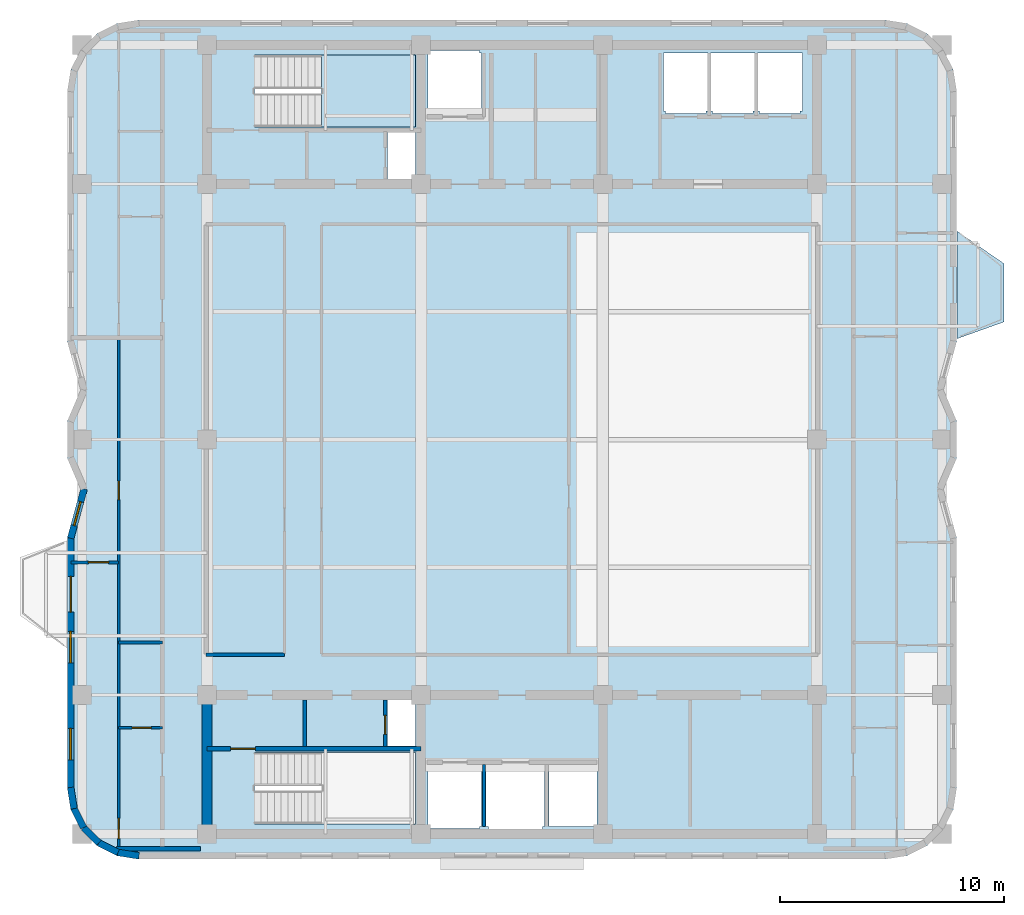
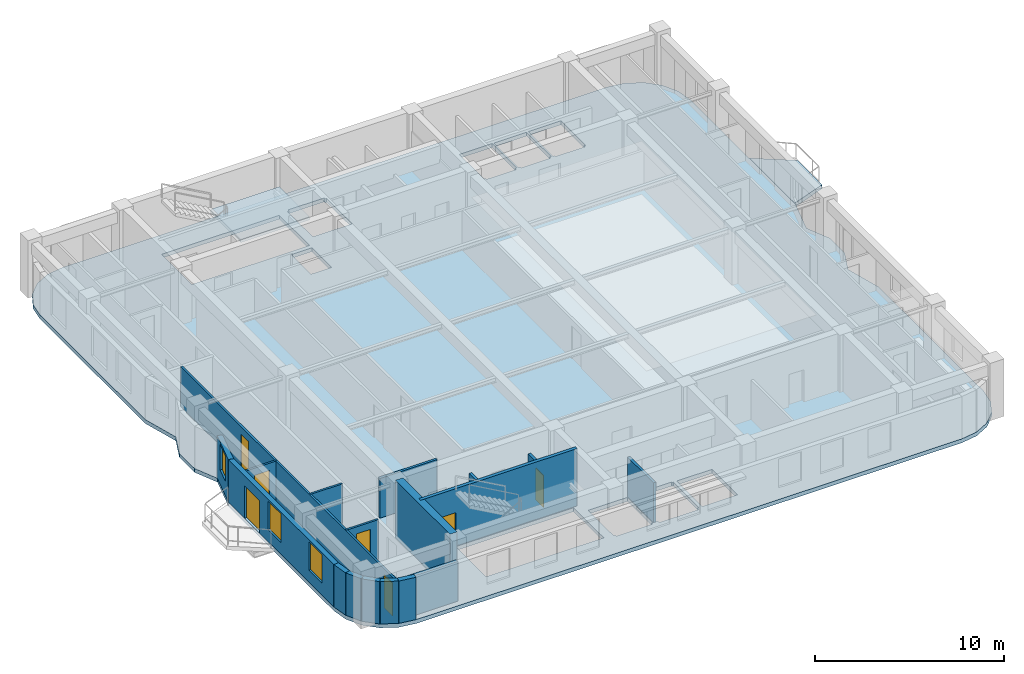
# One storey, part 2 of 8: 18 walls, 7 doors, 3 slabs, 3 windows, 10 openings, 1 element without a shape of its own.
"""IFC4 building model written with IfcOpenShell, lengths in metres."""

from ifc_helpers import new_model, si_unit, direction, frame, frame_2d, origin, place, context, subcontext, project, spatial, polyline, rectangle, outline, extrude, material, layer, layer_set, type_object, element, fill, aggregate, save


model = new_model("IFC4")

# Units and contexts
model_context = context("Model", 3, precision=1e-05, world=origin(), true_north=direction((0.0, 1.0)))
body_context = subcontext(model_context, "Body", "Model", "MODEL_VIEW")
ifc_project = project(units=[si_unit("LENGTHUNIT", "METRE"), si_unit("AREAUNIT", "SQUARE_METRE"), si_unit("VOLUMEUNIT", "CUBIC_METRE"), si_unit("PLANEANGLEUNIT", "RADIAN"), si_unit("MASSUNIT", "GRAM", prefix="KILO")], contexts=[model_context])

# Site, building, storey
site_placement = place(None, origin())
site = spatial("IfcSite", under=ifc_project, at=site_placement, CompositionType="ELEMENT")
building_placement = place(site_placement, origin())
building = spatial("IfcBuilding", under=site, at=building_placement, Name="Svetorya Sky Lyceum", CompositionType="ELEMENT")
storey_placement = place(building_placement, frame((0.0, 0.0, 248.0)))
storey = spatial("IfcBuildingStorey", under=building, at=storey_placement, Name="L62", CompositionType="ELEMENT", Elevation=248.0)

# Slab
ifc_material_1 = material(Name="Concrete C40/50", Category="concrete")
ifc_layer_1 = layer(ifc_material_1, 0.25)
ifc_layer_set_1 = layer_set([ifc_layer_1], Name="Concrete C40/50")
slab_type_1 = type_object("IfcSlabType", Name="SL-BAL-250", PredefinedType="FLOOR", material=ifc_layer_set_1)
slab_1_placement = place(storey_placement, frame((0.0, 0.0, -0.25)))
element("IfcSlab", 1, at=slab_1_placement, inside=storey, type_object=slab_type_1, Name="L62 Chamfered Loggia Balcony BAL-E1", PredefinedType="FLOOR", context=body_context, shape_type="SweptSolid", body=[
    extrude(outline(polyline([(59.050048828125, 32.699951171875), (61.14990234375, 33.449951171875), (61.14990234375, 36.050048828125), (59.050048828125, 37.5), (59.050048828125, 32.699951171875)])), origin(), (0.0, 0.0, 1.0), 0.25),
])

# Stair, slab
stair_type = type_object("IfcStairType", Name="STR-ST-N", PredefinedType="HALF_TURN_STAIR", material=ifc_material_1)
stair_placement = place(storey_placement, origin())
stair = element("IfcStair", 2, at=stair_placement, inside=storey, type_object=stair_type, Name="L62 North Core Smoke-Free Exit Stair N3", PredefinedType="HALF_TURN_STAIR")
ifc_layer_2 = layer(ifc_material_1, 0.199951171875)
ifc_layer_set_2 = layer_set([ifc_layer_2], Name="Concrete C40/50")
slab_type_2 = type_object("IfcSlabType", Name="SL-STR-LAND-200", PredefinedType="LANDING", material=ifc_layer_set_2)
slab_2_placement = place(storey_placement, frame((0.0, 0.0, 1.64990234375)))
slab_2 = element("IfcSlab", 3, at=slab_2_placement, type_object=slab_type_2, Name="ST-N landing 1", PredefinedType="LANDING", context=body_context, shape_type="SweptSolid", body=[
    extrude(outline(polyline([(30.699951171875, 42.14990234375), (34.89990234375, 42.14990234375), (34.89990234375, 45.35009765625), (30.699951171875, 45.35009765625), (30.699951171875, 42.14990234375)])), origin(), (0.0, 0.0, 1.0), 0.2001953125),
])
aggregate(stair, [slab_2])

# Slab
ifc_layer_3 = layer(ifc_material_1, 0.25)
ifc_layer_set_3 = layer_set([ifc_layer_3], Name="Concrete C40/50")
slab_type_3 = type_object("IfcSlabType", Name="SL-TWR-250", PredefinedType="FLOOR", material=ifc_layer_set_3)
slab_3_placement = place(storey_placement, frame((0.0, 0.0, -0.25)))
element("IfcSlab", 4, at=slab_3_placement, inside=storey, type_object=slab_type_3, Name="L62 Structural Floor Slab", PredefinedType="FLOOR", context=body_context, shape_type="SweptSolid", body=[
    extrude(outline(polyline([(19.360107421875, 12.679931640625), (19.5166015625, 11.691162109375), (19.97119140625, 10.799072265625), (20.67919921875, 10.091064453125), (21.571044921875, 9.63671875), (22.56005859375, 9.47998046875), (55.840087890625, 9.47998046875), (56.828857421875, 9.63671875), (57.720947265625, 10.091064453125), (58.428955078125, 10.799072265625), (58.88330078125, 11.691162109375), (59.0400390625, 12.679931640625), (59.0400390625, 23.800048828125), (58.43994140625, 26.0), (59.0400390625, 27.39990234375), (59.0400390625, 29.0), (58.43994140625, 30.39990234375), (59.0400390625, 32.60009765625), (59.0400390625, 43.719970703125), (58.88330078125, 44.708984375), (58.428955078125, 45.600830078125), (57.720947265625, 46.308837890625), (56.828857421875, 46.763427734375), (55.840087890625, 46.919921875), (22.56005859375, 46.919921875), (21.571044921875, 46.763427734375), (20.67919921875, 46.308837890625), (19.97119140625, 45.600830078125), (19.5166015625, 44.708984375), (19.360107421875, 43.719970703125), (19.360107421875, 32.60009765625), (19.9599609375, 30.39990234375), (19.360107421875, 29.0), (19.360107421875, 27.39990234375), (19.9599609375, 26.0), (19.360107421875, 23.800048828125), (19.360107421875, 12.679931640625)]), holes=[polyline([(37.85009765625, 10.949951171875), (37.75, 10.949951171875), (37.75, 10.85009765625), (35.550048828125, 10.85009765625), (35.550048828125, 10.949951171875), (35.449951171875, 10.949951171875), (35.449951171875, 13.64990234375), (35.550048828125, 13.64990234375), (37.75, 13.64990234375), (37.85009765625, 13.64990234375), (37.85009765625, 10.949951171875)]), polyline([(38.14990234375, 10.800048828125), (38.14990234375, 10.949951171875), (38.050048828125, 10.949951171875), (38.050048828125, 13.64990234375), (38.14990234375, 13.64990234375), (38.14990234375, 13.699951171875), (40.550048828125, 13.699951171875), (40.550048828125, 13.64990234375), (40.64990234375, 13.64990234375), (40.64990234375, 10.949951171875), (40.550048828125, 10.949951171875), (40.550048828125, 10.800048828125), (38.14990234375, 10.800048828125)]), polyline([(27.719970703125, 11.050048828125), (27.719970703125, 14.25), (34.89990234375, 14.25), (34.89990234375, 11.050048828125), (27.719970703125, 11.050048828125)]), polyline([(33.64990234375, 14.52001953125), (33.64990234375, 16.580078125), (34.89990234375, 16.580078125), (34.89990234375, 14.52001953125), (33.64990234375, 14.52001953125)]), polyline([(33.64990234375, 39.820068359375), (33.64990234375, 41.89990234375), (34.89990234375, 41.89990234375), (34.89990234375, 39.820068359375), (33.64990234375, 39.820068359375)]), polyline([(27.719970703125, 42.14990234375), (27.719970703125, 45.35009765625), (34.89990234375, 45.35009765625), (34.89990234375, 42.14990234375), (27.719970703125, 42.14990234375)]), polyline([(37.75, 42.75), (35.550048828125, 42.75), (35.449951171875, 42.75), (35.449951171875, 45.449951171875), (35.550048828125, 45.449951171875), (35.550048828125, 45.550048828125), (37.75, 45.550048828125), (37.75, 45.449951171875), (37.85009765625, 45.449951171875), (37.85009765625, 42.75), (37.75, 42.75)]), polyline([(40.85009765625, 10.949951171875), (40.85009765625, 13.64990234375), (43.0, 13.64990234375), (43.0, 10.949951171875), (40.85009765625, 10.949951171875)]), polyline([(46.050048828125, 42.75), (46.050048828125, 42.85009765625), (45.949951171875, 42.85009765625), (45.949951171875, 45.449951171875), (46.050048828125, 45.449951171875), (47.85009765625, 45.449951171875), (47.949951171875, 45.449951171875), (47.949951171875, 42.85009765625), (47.85009765625, 42.85009765625), (47.85009765625, 42.75), (46.050048828125, 42.75)]), polyline([(50.050048828125, 42.85009765625), (49.949951171875, 42.85009765625), (49.949951171875, 42.75), (48.14990234375, 42.75), (48.14990234375, 42.85009765625), (48.050048828125, 42.85009765625), (48.050048828125, 45.449951171875), (48.14990234375, 45.449951171875), (49.949951171875, 45.449951171875), (50.050048828125, 45.449951171875), (50.050048828125, 42.85009765625)]), polyline([(52.14990234375, 42.85009765625), (52.050048828125, 42.85009765625), (52.050048828125, 42.75), (50.25, 42.75), (50.25, 42.85009765625), (50.14990234375, 42.85009765625), (50.14990234375, 45.449951171875), (50.25, 45.449951171875), (52.050048828125, 45.449951171875), (52.14990234375, 45.449951171875), (52.14990234375, 42.85009765625)])]), origin(), (0.0, 0.0, 1.0), 0.25),
])

# Walls
ifc_material_2 = material(Name="Concrete C50/60", Category="concrete")
ifc_layer_4 = layer(ifc_material_2, 0.449951171875)
ifc_layer_set_4 = layer_set([ifc_layer_4], Name="Concrete C50/60")
wall_type_1 = type_object("IfcWallType", Name="WL-CORE-450", PredefinedType="SHEAR", material=ifc_layer_set_4)
wall_1_placement = place(storey_placement, frame((25.60009765625, 10.824951171875, 0.0), z_axis=(0.0, 0.0, 1.0), x_axis=(0.0, 1.0, 0.0)))
element("IfcWall", 5, at=wall_1_placement, inside=storey, type_object=wall_type_1, Name="L62 SC West Core Shear Wall", PredefinedType="SHEAR", context=body_context, shape_type="SweptSolid", body=[
    extrude(rectangle(XDim=5.75, YDim=0.449951171875, at=frame_2d((2.875, 0.0))), origin(), (0.0, 0.0, 1.0), 3.699951171875),
])
ifc_material_3 = material(Name="Putilovo limestone rainscreen on autoclaved cellular masonry", Category="masonry")
ifc_layer_5 = layer(ifc_material_3, 0.300048828125)
ifc_layer_set_5 = layer_set([ifc_layer_5], Name="Putilovo limestone rainscreen on autoclaved cellular masonry")
wall_type_2 = type_object("IfcWallType", Name="WL-EXT-300", PredefinedType="SOLIDWALL", material=ifc_layer_set_5)
wall_2_placement = place(storey_placement, frame((19.510009765625, 12.679931640625, 0.0), z_axis=(0.0, 0.0, 1.0), x_axis=(0.156343617883, -0.987702725088, 0.0)))
element("IfcWall", 6, at=wall_2_placement, inside=storey, type_object=wall_type_2, Name="L62 Limestone Exterior Wall 1M", PredefinedType="SOLIDWALL", context=body_context, shape_type="SweptSolid", body=[
    extrude(rectangle(XDim=0.9541015625, YDim=0.300048828125, at=frame_2d((0.47705078125, 0.0))), origin(), (0.0, 0.0, 1.0), 2.72998046875),
])
for number, where, z_axis, x_axis, name in (
    (7, (19.6591796875, 11.737548828125, 0.0), (0.0, 0.0, 1.0), (0.454056065666, -0.890973113642, 0.0), "L62 Limestone Exterior Wall 2M"),
    (8, (20.092529296875, 10.88720703125, 0.0), (0.0, 0.0, 1.0), (0.707106781187, -0.707106781187, 0.0), "L62 Limestone Exterior Wall 3M"),
):
    element("IfcWall", number, at=place(storey_placement, frame(where, z_axis=z_axis, x_axis=x_axis)), inside=storey, type_object=wall_type_2, Name=name, PredefinedType="SOLIDWALL", context=body_context, shape_type="SweptSolid", body=[
        extrude(rectangle(XDim=0.954345703125, YDim=0.300048828125, at=frame_2d((0.47705078125, 0.0))), origin(), (0.0, 0.0, 1.0), 2.72998046875),
    ])
wall_3_placement = place(storey_placement, frame((20.767333984375, 10.21240234375, 0.0), z_axis=(0.0, 0.0, 1.0), x_axis=(0.891023873617, -0.45395644796, 0.0)))
element("IfcWall", 9, at=wall_3_placement, inside=storey, type_object=wall_type_2, Name="L62 Limestone Exterior Wall 4M", PredefinedType="SOLIDWALL", context=body_context, shape_type="SweptSolid", body=[
    extrude(rectangle(XDim=0.9541015625, YDim=0.300048828125, at=frame_2d((0.47705078125, 0.0))), origin(), (0.0, 0.0, 1.0), 2.72998046875),
])
wall_4_placement = place(storey_placement, frame((21.617431640625, 9.779296875, 0.0), z_axis=(0.0, 0.0, 1.0), x_axis=(0.987669453596, -0.156553666304, 0.0)))
element("IfcWall", 10, at=wall_4_placement, inside=storey, type_object=wall_type_2, Name="L62 Limestone Exterior Wall 5M", PredefinedType="SOLIDWALL", context=body_context, shape_type="SweptSolid", body=[
    extrude(rectangle(XDim=0.954345703125, YDim=0.300048828125, at=frame_2d((0.47705078125, 0.0))), origin(), (0.0, 0.0, 1.0), 2.72998046875),
])

# Wall, opening, window
wall_5_placement = place(storey_placement, frame((20.110107421875, 26.0, 0.0), z_axis=(0.0, 0.0, 1.0), x_axis=(-0.263162701705, -0.964751466665, 0.0)))
wall_5 = element("IfcWall", 11, at=wall_5_placement, inside=storey, type_object=wall_type_2, Name="L62 Limestone Exterior Wall 35M", PredefinedType="SOLIDWALL", context=body_context, shape_type="SweptSolid", body=[
    extrude(rectangle(XDim=2.2802734375, YDim=0.300048828125, at=frame_2d((1.14013671875, 0.0))), origin(), (0.0, 0.0, 1.0), 2.72998046875),
])
opening_1_placement = place(wall_5_placement, frame((0.590087890625, 0.0, 0.919921875)))
opening_1 = element("IfcOpeningElement", 12, at=opening_1_placement, cuts=wall_5, Name="Opening W-R3", PredefinedType="OPENING", context=body_context, shape_type="SweptSolid", body=[
    extrude(rectangle(XDim=1.10009765625, YDim=1.64990234375, at=frame_2d((0.550048828125, 0.824951171875))), frame((0.0, 0.159912109375, 0.0), z_axis=(0.0, -1.0, 0.0), x_axis=(1.0, 0.0, 0.0)), (0.0, 0.0, 1.0), 0.320068359375),
])
ifc_material_4 = material(Name="Thermally broken aluminium frame with triple low-E glazing", Category="aluminium")
window_type_1 = type_object("IfcWindowType", Name="WN-RES-110", PartitioningType="SINGLE_PANEL", PredefinedType="WINDOW", material=ifc_material_4)
window_1_placement = place(opening_1_placement, origin())
window_1 = element("IfcWindow", 13, at=window_1_placement, inside=storey, type_object=window_type_1, Name="L62 Facade Window W-R3.35M.1", OverallHeight=1.64990234375, OverallWidth=1.10009765625, PartitioningType="SINGLE_PANEL", PredefinedType="WINDOW", context=body_context, shape_type="SweptSolid", body=[
    extrude(rectangle(XDim=1.10009765625, YDim=1.64990234375, at=frame_2d((0.550048828125, 0.824951171875))), frame((0.0, 0.030029296875, 0.0), z_axis=(0.0, -1.0, 0.0), x_axis=(1.0, 0.0, 0.0)), (0.0, 0.0, 1.0), 0.06005859375),
])
fill(opening_1, window_1)

# Wall, openings, door, windows
wall_6_placement = place(storey_placement, frame((19.510009765625, 23.800048828125, 0.0), z_axis=(0.0, 0.0, 1.0), x_axis=(0.0, -1.0, 0.0)))
wall_6 = element("IfcWall", 14, at=wall_6_placement, inside=storey, type_object=wall_type_2, Name="L62 Limestone Exterior Wall 36M", PredefinedType="SOLIDWALL", context=body_context, shape_type="SweptSolid", body=[
    extrude(rectangle(XDim=11.1201171875, YDim=0.300048828125, at=frame_2d((5.56005859375, 0.0))), origin(), (0.0, 0.0, 1.0), 2.72998046875),
])
opening_2_placement = place(wall_6_placement, frame((1.699951171875, 0.0, 0.0)))
opening_2 = element("IfcOpeningElement", 15, at=opening_2_placement, cuts=wall_6, Name="Opening D-BL1", PredefinedType="OPENING", context=body_context, shape_type="SweptSolid", body=[
    extrude(rectangle(XDim=1.60009765625, YDim=2.10009765625, at=frame_2d((0.800048828125, 1.050048828125))), frame((0.0, 0.159912109375, 0.0), z_axis=(0.0, -1.0, 0.0), x_axis=(1.0, 0.0, 0.0)), (0.0, 0.0, 1.0), 0.320068359375),
])
opening_3_placement = place(wall_6_placement, frame((4.159912109375, 0.0, 0.760009765625)))
opening_3 = element("IfcOpeningElement", 16, at=opening_3_placement, cuts=wall_6, Name="Opening W-R2", PredefinedType="OPENING", context=body_context, shape_type="SweptSolid", body=[
    extrude(rectangle(XDim=1.39990234375, YDim=1.85009765625, at=frame_2d((0.699951171875, 0.925048828125))), frame((0.0, 0.159912109375, 0.0), z_axis=(0.0, -1.0, 0.0), x_axis=(1.0, 0.0, 0.0)), (0.0, 0.0, 1.0), 0.320068359375),
])
opening_4_placement = place(wall_6_placement, frame((8.4833984375, 0.0, 0.760009765625)))
opening_4 = element("IfcOpeningElement", 17, at=opening_4_placement, cuts=wall_6, Name="Opening W-R2", PredefinedType="OPENING", context=body_context, shape_type="SweptSolid", body=[
    extrude(rectangle(XDim=1.39990234375, YDim=1.85009765625, at=frame_2d((0.699951171875, 0.925048828125))), frame((0.0, 0.159912109375, 0.0), z_axis=(0.0, -1.0, 0.0), x_axis=(1.0, 0.0, 0.0)), (0.0, 0.0, 1.0), 0.320068359375),
])
ifc_material_5 = material(Name="Insulated glazed aluminium balcony door", Category="aluminium")
door_type_1 = type_object("IfcDoorType", Name="DR-BAL-1600", OperationType="DOUBLE_DOOR_SINGLE_SWING", PredefinedType="DOOR", material=ifc_material_5)
door_1_placement = place(opening_2_placement, origin())
door_1 = element("IfcDoor", 18, at=door_1_placement, inside=storey, type_object=door_type_1, Name="L62 Balcony BAL-W1 Door", OperationType="DOUBLE_DOOR_SINGLE_SWING", OverallHeight=2.10009765625, OverallWidth=1.60009765625, PredefinedType="DOOR", context=body_context, shape_type="SweptSolid", body=[
    extrude(rectangle(XDim=1.60009765625, YDim=2.10009765625, at=frame_2d((0.800048828125, 1.050048828125))), frame((0.0, 0.02490234375, 0.0), z_axis=(0.0, -1.0, 0.0), x_axis=(1.0, 0.0, 0.0)), (0.0, 0.0, 1.0), 0.050048828125),
])
fill(opening_2, door_1)
window_type_2 = type_object("IfcWindowType", Name="WN-RES-140", PartitioningType="SINGLE_PANEL", PredefinedType="WINDOW", material=ifc_material_4)
window_2_placement = place(opening_3_placement, origin())
window_2 = element("IfcWindow", 19, at=window_2_placement, inside=storey, type_object=window_type_2, Name="L62 Facade Window W-R2.36M.1", OverallHeight=1.85009765625, OverallWidth=1.39990234375, PartitioningType="SINGLE_PANEL", PredefinedType="WINDOW", context=body_context, shape_type="SweptSolid", body=[
    extrude(rectangle(XDim=1.39990234375, YDim=1.85009765625, at=frame_2d((0.699951171875, 0.925048828125))), frame((0.0, 0.030029296875, 0.0), z_axis=(0.0, -1.0, 0.0), x_axis=(1.0, 0.0, 0.0)), (0.0, 0.0, 1.0), 0.06005859375),
])
fill(opening_3, window_2)
window_3_placement = place(opening_4_placement, origin())
window_3 = element("IfcWindow", 20, at=window_3_placement, inside=storey, type_object=window_type_2, Name="L62 Facade Window W-R2.36M.2", OverallHeight=1.85009765625, OverallWidth=1.39990234375, PartitioningType="SINGLE_PANEL", PredefinedType="WINDOW", context=body_context, shape_type="SweptSolid", body=[
    extrude(rectangle(XDim=1.39990234375, YDim=1.85009765625, at=frame_2d((0.699951171875, 0.925048828125))), frame((0.0, 0.030029296875, 0.0), z_axis=(0.0, -1.0, 0.0), x_axis=(1.0, 0.0, 0.0)), (0.0, 0.0, 1.0), 0.06005859375),
])
fill(opening_4, window_3)

# Wall, opening, door
ifc_material_6 = material(Name="Twin-stud galvanized framing with double fireboard", Category="gypsum")
ifc_layer_6 = layer(ifc_material_6, 0.1201171875)
ifc_layer_set_6 = layer_set([ifc_layer_6], Name="Twin-stud galvanized framing with double fireboard")
wall_type_3 = type_object("IfcWallType", Name="WL-PART-120", PredefinedType="PARTITIONING", material=ifc_layer_set_6)
wall_7_placement = place(storey_placement, frame((21.64990234375, 15.35009765625, 0.0), z_axis=(0.0, 0.0, 1.0), x_axis=(1.0, 0.0, 0.0)))
wall_7 = element("IfcWall", 21, at=wall_7_placement, inside=storey, type_object=wall_type_3, Name="L62 Interior Partition W1-WH1", PredefinedType="PARTITIONING", context=body_context, shape_type="SweptSolid", body=[
    extrude(rectangle(XDim=1.9501953125, YDim=0.1201171875, at=frame_2d((0.97509765625, 0.0))), origin(), (0.0, 0.0, 1.0), 2.56005859375),
])
opening_5_placement = place(wall_7_placement, frame((0.60009765625, 0.0, 0.0)))
opening_5 = element("IfcOpeningElement", 22, at=opening_5_placement, cuts=wall_7, Name="Opening D-BT1", PredefinedType="OPENING", context=body_context, shape_type="SweptSolid", body=[
    extrude(rectangle(XDim=0.85009765625, YDim=2.10009765625, at=frame_2d((0.425048828125, 1.050048828125))), frame((0.0, 0.070068359375, 0.0), z_axis=(0.0, -1.0, 0.0), x_axis=(1.0, 0.0, 0.0)), (0.0, 0.0, 1.0), 0.14013671875),
])
ifc_material_7 = material(Name="Moisture-resistant laminate bathroom door")
door_type_2 = type_object("IfcDoorType", Name="DR-WET-850", OperationType="SINGLE_SWING_LEFT", PredefinedType="DOOR", material=ifc_material_7)
door_2_placement = place(opening_5_placement, origin())
door_2 = element("IfcDoor", 23, at=door_2_placement, inside=storey, type_object=door_type_2, Name="Apartment W1 Bathroom Door", OperationType="SINGLE_SWING_LEFT", OverallHeight=2.10009765625, OverallWidth=0.85009765625, PredefinedType="DOOR", context=body_context, shape_type="SweptSolid", body=[
    extrude(rectangle(XDim=0.85009765625, YDim=2.10009765625, at=frame_2d((0.425048828125, 1.050048828125))), frame((0.0, 0.02490234375, 0.0), z_axis=(0.0, -1.0, 0.0), x_axis=(1.0, 0.0, 0.0)), (0.0, 0.0, 1.0), 0.050048828125),
])
fill(opening_5, door_2)

# Wall
wall_8_placement = place(storey_placement, frame((21.64990234375, 19.14990234375, 0.0), z_axis=(0.0, 0.0, 1.0), x_axis=(1.0, 0.0, 0.0)))
element("IfcWall", 24, at=wall_8_placement, inside=storey, type_object=wall_type_3, Name="L62 Interior Partition W1-WH2", PredefinedType="PARTITIONING", context=body_context, shape_type="SweptSolid", body=[
    extrude(rectangle(XDim=1.9501953125, YDim=0.1201171875, at=frame_2d((0.97509765625, 0.0))), origin(), (0.0, 0.0, 1.0), 2.56005859375),
])

# Wall, opening, door
wall_9_placement = place(storey_placement, frame((19.530029296875, 22.719970703125, 0.0), z_axis=(0.0, 0.0, 1.0), x_axis=(1.0, 0.0, 0.0)))
wall_9 = element("IfcWall", 25, at=wall_9_placement, inside=storey, type_object=wall_type_3, Name="L62 Interior Partition W1-WL1", PredefinedType="PARTITIONING", context=body_context, shape_type="SweptSolid", body=[
    extrude(rectangle(XDim=2.119873046875, YDim=0.1201171875, at=frame_2d((1.06005859375, 0.0))), origin(), (0.0, 0.0, 1.0), 2.56005859375),
])
opening_6_placement = place(wall_9_placement, frame((0.77001953125, 0.0, 0.0)))
opening_6 = element("IfcOpeningElement", 26, at=opening_6_placement, cuts=wall_9, Name="Opening D-RM1", PredefinedType="OPENING", context=body_context, shape_type="SweptSolid", body=[
    extrude(rectangle(XDim=0.89990234375, YDim=2.10009765625, at=frame_2d((0.449951171875, 1.050048828125))), frame((0.0, 0.070068359375, 0.0), z_axis=(0.0, -1.0, 0.0), x_axis=(1.0, 0.0, 0.0)), (0.0, 0.0, 1.0), 0.14013671875),
])
ifc_material_8 = material(Name="Lacquered birch veneer internal door")
door_type_3 = type_object("IfcDoorType", Name="DR-INT-900", OperationType="SINGLE_SWING_LEFT", PredefinedType="DOOR", material=ifc_material_8)
door_3_placement = place(opening_6_placement, origin())
door_3 = element("IfcDoor", 27, at=door_3_placement, inside=storey, type_object=door_type_3, Name="Apartment W1 Bedroom 1 Door", OperationType="SINGLE_SWING_LEFT", OverallHeight=2.10009765625, OverallWidth=0.89990234375, PredefinedType="DOOR", context=body_context, shape_type="SweptSolid", body=[
    extrude(rectangle(XDim=0.89990234375, YDim=2.10009765625, at=frame_2d((0.449951171875, 1.050048828125))), frame((0.0, 0.02490234375, 0.0), z_axis=(0.0, -1.0, 0.0), x_axis=(1.0, 0.0, 0.0)), (0.0, 0.0, 1.0), 0.050048828125),
])
fill(opening_6, door_3)

# Wall, openings, doors
wall_10_placement = place(storey_placement, frame((21.64990234375, 9.989990234375, 0.0), z_axis=(0.0, 0.0, 1.0), x_axis=(0.0, 1.0, 0.0)))
wall_10 = element("IfcWall", 28, at=wall_10_placement, inside=storey, type_object=wall_type_3, Name="L62 Interior Partition W1-WV", PredefinedType="PARTITIONING", context=body_context, shape_type="SweptSolid", body=[
    extrude(rectangle(XDim=22.719970703125, YDim=0.1201171875, at=frame_2d((11.35986328125, 0.0))), origin(), (0.0, 0.0, 1.0), 2.56005859375),
])
opening_7_placement = place(wall_10_placement, frame((0.409912109375, 0.0, 0.0)))
opening_7 = element("IfcOpeningElement", 29, at=opening_7_placement, cuts=wall_10, Name="Opening D-RM1", PredefinedType="OPENING", context=body_context, shape_type="SweptSolid", body=[
    extrude(rectangle(XDim=0.89990234375, YDim=2.10009765625, at=frame_2d((0.449951171875, 1.050048828125))), frame((0.0, 0.070068359375, 0.0), z_axis=(0.0, -1.0, 0.0), x_axis=(1.0, 0.0, 0.0)), (0.0, 0.0, 1.0), 0.14013671875),
])
opening_8_placement = place(wall_10_placement, frame((15.534912109375, 0.0, 0.0)))
opening_8 = element("IfcOpeningElement", 30, at=opening_8_placement, cuts=wall_10, Name="Opening D-BT2", PredefinedType="OPENING", context=body_context, shape_type="SweptSolid", body=[
    extrude(rectangle(XDim=0.820068359375, YDim=2.080078125, at=frame_2d((0.41015625, 1.0400390625))), frame((0.0, 0.070068359375, 0.0), z_axis=(0.0, -1.0, 0.0), x_axis=(1.0, 0.0, 0.0)), (0.0, 0.0, 1.0), 0.14013671875),
])
door_4_placement = place(opening_7_placement, origin())
door_4 = element("IfcDoor", 31, at=door_4_placement, inside=storey, type_object=door_type_3, Name="Apartment W1 Living Door", OperationType="SINGLE_SWING_RIGHT", OverallHeight=2.10009765625, OverallWidth=0.89990234375, PredefinedType="DOOR", context=body_context, shape_type="SweptSolid", body=[
    extrude(rectangle(XDim=0.89990234375, YDim=2.10009765625, at=frame_2d((0.449951171875, 1.050048828125))), frame((0.0, 0.02490234375, 0.0), z_axis=(0.0, -1.0, 0.0), x_axis=(1.0, 0.0, 0.0)), (0.0, 0.0, 1.0), 0.050048828125),
])
fill(opening_7, door_4)
ifc_material_9 = material(Name="Compact moisture-resistant laminate closet door")
door_type_4 = type_object("IfcDoorType", Name="DR-WET-820", OperationType="SINGLE_SWING_LEFT", PredefinedType="DOOR", material=ifc_material_9)
door_5_placement = place(opening_8_placement, origin())
door_5 = element("IfcDoor", 32, at=door_5_placement, inside=storey, type_object=door_type_4, Name="Apartment W1 Study Door", OperationType="SINGLE_SWING_LEFT", OverallHeight=2.080078125, OverallWidth=0.820068359375, PredefinedType="DOOR", context=body_context, shape_type="SweptSolid", body=[
    extrude(rectangle(XDim=0.820068359375, YDim=2.080078125, at=frame_2d((0.41015625, 1.0400390625))), frame((0.0, 0.02490234375, 0.0), z_axis=(0.0, -1.0, 0.0), x_axis=(1.0, 0.0, 0.0)), (0.0, 0.0, 1.0), 0.050048828125),
])
fill(opening_8, door_5)

# Wall
ifc_material_10 = material(Name="Autoclaved cellular masonry blockwork with acoustic render", Category="masonry")
ifc_layer_7 = layer(ifc_material_10, 0.14990234375)
ifc_layer_set_7 = layer_set([ifc_layer_7], Name="Autoclaved cellular masonry blockwork with acoustic render")
wall_type_4 = type_object("IfcWallType", Name="WL-PART-150", PredefinedType="PARTITIONING", material=ifc_layer_set_7)
wall_11_placement = place(storey_placement, frame((29.949951171875, 14.5, 0.0), z_axis=(0.0, 0.0, 1.0), x_axis=(0.0, 1.0, 0.0)))
element("IfcWall", 33, at=wall_11_placement, inside=storey, type_object=wall_type_4, Name="L62 Interior Partition SC-SWD1", PredefinedType="PARTITIONING", context=body_context, shape_type="SweptSolid", body=[
    extrude(rectangle(XDim=2.080078125, YDim=0.14990234375, at=frame_2d((1.0400390625, 0.0))), origin(), (0.0, 0.0, 1.0), 2.56005859375),
])

# Wall, opening, door
wall_12_placement = place(storey_placement, frame((33.550048828125, 14.5, 0.0), z_axis=(0.0, 0.0, 1.0), x_axis=(0.0, 1.0, 0.0)))
wall_12 = element("IfcWall", 34, at=wall_12_placement, inside=storey, type_object=wall_type_4, Name="L62 Interior Partition SC-SWD2", PredefinedType="PARTITIONING", context=body_context, shape_type="SweptSolid", body=[
    extrude(rectangle(XDim=2.080078125, YDim=0.14990234375, at=frame_2d((1.0400390625, 0.0))), origin(), (0.0, 0.0, 1.0), 2.56005859375),
])
opening_9_placement = place(wall_12_placement, frame((0.550048828125, 0.0, 0.0)))
opening_9 = element("IfcOpeningElement", 35, at=opening_9_placement, cuts=wall_12, Name="Opening D-SH1", PredefinedType="OPENING", context=body_context, shape_type="SweptSolid", body=[
    extrude(rectangle(XDim=0.85009765625, YDim=2.050048828125, at=frame_2d((0.425048828125, 1.02490234375))), frame((0.0, 0.0849609375, 0.0), z_axis=(0.0, -1.0, 0.0), x_axis=(1.0, 0.0, 0.0)), (0.0, 0.0, 1.0), 0.169921875),
])
ifc_material_11 = material(Name="Insulated galvanized riser inspection fire door")
door_type_5 = type_object("IfcDoorType", Name="DR-SHFT-850", OperationType="SINGLE_SWING_LEFT", PredefinedType="TRAPDOOR", material=ifc_material_11)
door_6_placement = place(opening_9_placement, origin())
door_6 = element("IfcDoor", 36, at=door_6_placement, inside=storey, type_object=door_type_5, Name="L62 South Riser Access Door", OperationType="SINGLE_SWING_RIGHT", OverallHeight=2.050048828125, OverallWidth=0.85009765625, PredefinedType="TRAPDOOR", context=body_context, shape_type="SweptSolid", body=[
    extrude(rectangle(XDim=0.85009765625, YDim=2.050048828125, at=frame_2d((0.425048828125, 1.02490234375))), frame((0.0, 0.02490234375, 0.0), z_axis=(0.0, -1.0, 0.0), x_axis=(1.0, 0.0, 0.0)), (0.0, 0.0, 1.0), 0.050048828125),
])
fill(opening_9, door_6)

# Walls
wall_13_placement = place(storey_placement, frame((37.949951171875, 10.949951171875, 0.0), z_axis=(0.0, 0.0, 1.0), x_axis=(0.0, 1.0, 0.0)))
element("IfcWall", 37, at=wall_13_placement, inside=storey, type_object=wall_type_4, Name="L62 Interior Partition SC-SHD1", PredefinedType="PARTITIONING", context=body_context, shape_type="SweptSolid", body=[
    extrude(rectangle(XDim=2.75, YDim=0.14990234375, at=frame_2d((1.375, 0.0))), origin(), (0.0, 0.0, 1.0), 2.56005859375),
])
wall_14_placement = place(storey_placement, frame((25.550048828125, 18.60009765625, 0.0), z_axis=(0.0, 0.0, 1.0), x_axis=(1.0, 0.0, 0.0)))
element("IfcWall", 38, at=wall_14_placement, inside=storey, type_object=wall_type_4, Name="L62 Interior Partition OFF-CS-W", PredefinedType="PARTITIONING", context=body_context, shape_type="SweptSolid", body=[
    extrude(rectangle(XDim=3.5, YDim=0.14990234375, at=frame_2d((1.75, 0.0))), origin(), (0.0, 0.0, 1.0), 2.56005859375),
])
ifc_material_12 = material(Name="Autoclaved cellular masonry blockwork with gypsum plaster", Category="masonry")
ifc_layer_8 = layer(ifc_material_12, 0.199951171875)
ifc_layer_set_8 = layer_set([ifc_layer_8], Name="Autoclaved cellular masonry blockwork with gypsum plaster")
wall_type_5 = type_object("IfcWallType", Name="WL-PART-200", PredefinedType="PARTITIONING", material=ifc_layer_set_8)
wall_15_placement = place(storey_placement, frame((21.5458984375, 9.949951171875, 0.0), z_axis=(0.0, 0.0, 1.0), x_axis=(1.0, 0.0, 0.0)))
element("IfcWall", 39, at=wall_15_placement, inside=storey, type_object=wall_type_5, Name="L62 Interior Partition W-CAP-S", PredefinedType="PARTITIONING", context=body_context, shape_type="SweptSolid", body=[
    extrude(rectangle(XDim=3.754150390625, YDim=0.199951171875, at=frame_2d((1.876953125, 0.0))), origin(), (0.0, 0.0, 1.0), 2.56005859375),
])

# Wall, opening, door
ifc_layer_9 = layer(ifc_material_2, 0.199951171875)
ifc_layer_set_9 = layer_set([ifc_layer_9], Name="Concrete C50/60")
wall_type_6 = type_object("IfcWallType", Name="WL-SHW-200", PredefinedType="SHEAR", material=ifc_layer_set_9)
wall_16_placement = place(storey_placement, frame((25.60009765625, 14.39990234375, 0.0), z_axis=(0.0, 0.0, 1.0), x_axis=(1.0, 0.0, 0.0)))
wall_16 = element("IfcWall", 40, at=wall_16_placement, inside=storey, type_object=wall_type_6, Name="L62 Structural Stair Shaft Wall SC-STW", PredefinedType="SHEAR", context=body_context, shape_type="SweptSolid", body=[
    extrude(rectangle(XDim=9.5498046875, YDim=0.199951171875, at=frame_2d((4.77490234375, 0.0))), origin(), (0.0, 0.0, 1.0), 3.699951171875),
])
opening_10_placement = place(wall_16_placement, frame((1.050048828125, 0.0, 0.0)))
opening_10 = element("IfcOpeningElement", 41, at=opening_10_placement, cuts=wall_16, Name="Opening D-ST1", PredefinedType="OPENING", context=body_context, shape_type="SweptSolid", body=[
    extrude(rectangle(XDim=1.10009765625, YDim=2.14990234375, at=frame_2d((0.550048828125, 1.074951171875))), frame((0.0, 0.10986328125, 0.0), z_axis=(0.0, -1.0, 0.0), x_axis=(1.0, 0.0, 0.0)), (0.0, 0.0, 1.0), 0.219970703125),
])
ifc_material_13 = material(Name="Powder-coated insulated galvanized stair fire door")
door_type_6 = type_object("IfcDoorType", Name="DR-FIRE-1100", OperationType="SINGLE_SWING_LEFT", PredefinedType="DOOR", material=ifc_material_13)
door_7_placement = place(opening_10_placement, origin())
door_7 = element("IfcDoor", 42, at=door_7_placement, inside=storey, type_object=door_type_6, Name="L62 Stair ST-S Vestibule Fire Door", OperationType="SINGLE_SWING_LEFT", OverallHeight=2.14990234375, OverallWidth=1.10009765625, PredefinedType="DOOR", context=body_context, shape_type="SweptSolid", body=[
    extrude(rectangle(XDim=1.10009765625, YDim=2.14990234375, at=frame_2d((0.550048828125, 1.074951171875))), frame((0.0, 0.02490234375, 0.0), z_axis=(0.0, -1.0, 0.0), x_axis=(1.0, 0.0, 0.0)), (0.0, 0.0, 1.0), 0.050048828125),
])
fill(opening_10, door_7)

save(model, "model.ifc")
